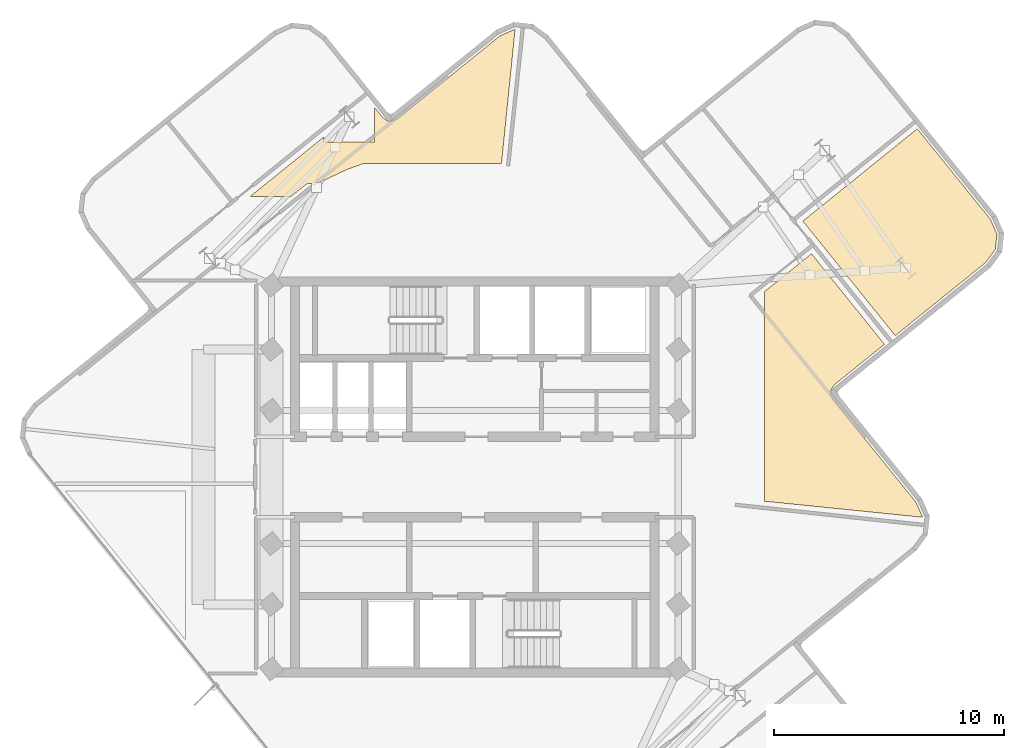
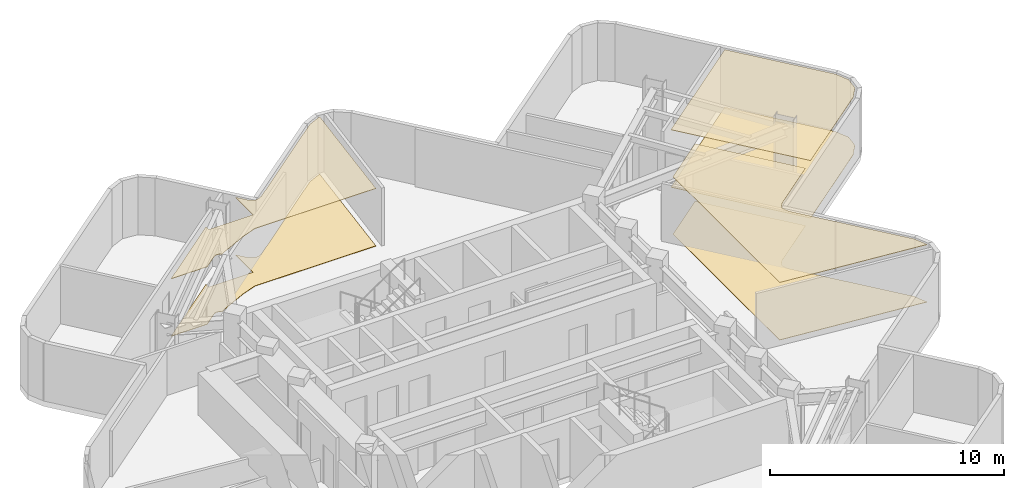
# One storey, part 9 of 9: 6 coverings.
"""IFC4 building model written with IfcOpenShell, lengths in metres."""

import ifcopenshell
import ifcopenshell.guid

model = None  # the IFC model being written
_history = None  # IfcOwnerHistory: only IFC2X3 demands one
_inside = {}  # id of a spatial element -> (the spatial element, [elements in it])
_under = {}  # id of a project, library or spatial element -> (it, [spatial elements below it])
_declared = {}  # id of a project -> (the project, [libraries it declares])
_typed = {}  # id of a type object -> (the type object, [elements of that type])
_made_of = {}  # id of a material, layer set ... -> (it, [elements and type objects made of it])


def new_model(schema):
    """Start an empty IFC model of exactly this schema.

    Asked for "IFC4X3", IfcOpenShell would pick the latest addendum, in which some entities
    have other attributes; the version numbers below select the first issue.
    IFC2X3 requires an IfcOwnerHistory on every rooted entity: one is made here for all.
    """
    global model, _history
    if schema == "IFC4X3":
        model = ifcopenshell.file(schema_version=(4, 3, 0, 0))
    else:
        model = ifcopenshell.file(schema=schema)
    _inside.clear()
    _under.clear()
    _declared.clear()
    _typed.clear()
    _made_of.clear()
    _history = None
    if model.schema == "IFC2X3":
        org = make("IfcOrganization", Name="unknown")
        user = make(
            "IfcPersonAndOrganization",
            ThePerson=make("IfcPerson", FamilyName="unknown"),
            TheOrganization=org,
        )
        app = make(
            "IfcApplication",
            ApplicationDeveloper=org,
            Version="unknown",
            ApplicationFullName="unknown",
            ApplicationIdentifier="unknown",
        )
        _history = make(
            "IfcOwnerHistory",
            OwningUser=user,
            OwningApplication=app,
            ChangeAction="ADDED",
            CreationDate=0,
        )
    return model


def make(cls, **values):
    """One entity of the class cls with the attributes given. An attribute that is None is left unset."""
    return model.create_entity(
        cls, **{name: value for name, value in values.items() if value is not None}
    )


def rooted(cls, **values):
    """An entity with a GlobalId (a new one), such as an element, a storey or a relation."""
    return make(cls, GlobalId=ifcopenshell.guid.new(), OwnerHistory=_history, **values)


def si_unit(unit_type, name, prefix=None):
    """IfcSIUnit, for example si_unit("LENGTHUNIT", "METRE", prefix="MILLI")."""
    return make("IfcSIUnit", UnitType=unit_type, Prefix=prefix, Name=name)


def assignment(units):
    """IfcUnitAssignment: the units of a project."""
    return None if units is None else make("IfcUnitAssignment", Units=units)


def point(xyz):
    """IfcCartesianPoint."""
    return None if xyz is None else make("IfcCartesianPoint", Coordinates=xyz)


def direction(xyz):
    """IfcDirection."""
    return None if xyz is None else make("IfcDirection", DirectionRatios=xyz)


def frame(location, z_axis=None, x_axis=None):
    """IfcAxis2Placement3D, a coordinate frame: its origin and axes. An axis left out is left unset."""
    return make(
        "IfcAxis2Placement3D",
        Location=point(location),
        Axis=direction(z_axis),
        RefDirection=direction(x_axis),
    )


def origin():
    """The frame at (0, 0, 0) with its axes left unset."""
    return frame((0.0, 0.0, 0.0))


def place(relative_to, where):
    """IfcLocalPlacement: puts the frame where relative to a parent placement (None: the world)."""
    return make(
        "IfcLocalPlacement", PlacementRelTo=relative_to, RelativePlacement=where
    )


def context(
    kind, dimensions, precision=None, world=None, true_north=None, identifier=None
):
    """IfcGeometricRepresentationContext, for example the 3D "Model" context."""
    return make(
        "IfcGeometricRepresentationContext",
        ContextIdentifier=identifier,
        ContextType=kind,
        CoordinateSpaceDimension=dimensions,
        Precision=precision,
        WorldCoordinateSystem=world,
        TrueNorth=true_north,
    )


def subcontext(parent, identifier, kind, view, scale=None):
    """IfcGeometricRepresentationSubContext, for example "Body" below "Model"."""
    return make(
        "IfcGeometricRepresentationSubContext",
        ContextIdentifier=identifier,
        ContextType=kind,
        ParentContext=parent,
        TargetScale=scale,
        TargetView=view,
    )


def project(units=None, contexts=None):
    """IfcProject with its units and contexts."""
    return rooted(
        "IfcProject",
        Name="project",
        RepresentationContexts=contexts,
        UnitsInContext=assignment(units),
    )


def spatial(cls, under=None, at=None, **own):
    """A site, building, storey or space (cls), placed at a placement, below another one or the project."""
    s = rooted(cls, ObjectPlacement=at, **own)
    if under is not None:
        _under.setdefault(under.id(), (under, []))[1].append(s)
    return s


def polyline(points):
    """IfcPolyline through the points."""
    return make("IfcPolyline", Points=[point(p) for p in points])


def outline(outer, holes=None, kind="AREA"):
    """IfcArbitraryClosedProfileDef: a profile drawn as a closed curve; with holes, ...WithVoids."""
    if holes is None:
        return make("IfcArbitraryClosedProfileDef", ProfileType=kind, OuterCurve=outer)
    return make(
        "IfcArbitraryProfileDefWithVoids",
        ProfileType=kind,
        OuterCurve=outer,
        InnerCurves=holes,
    )


def extrude(swept, where, along, depth):
    """IfcExtrudedAreaSolid: the profile swept, set in the frame where, extruded along a direction by depth."""
    return make(
        "IfcExtrudedAreaSolid",
        SweptArea=swept,
        Position=where,
        ExtrudedDirection=direction(along),
        Depth=depth,
    )


def shape(context_of_items, identifier, shape_type, items):
    """IfcShapeRepresentation: the items that make up one representation, for example the "Body"."""
    return make(
        "IfcShapeRepresentation",
        ContextOfItems=context_of_items,
        RepresentationIdentifier=identifier,
        RepresentationType=shape_type,
        Items=items,
    )


def material(Name=None, Category=None):
    """IfcMaterial."""
    return make("IfcMaterial", Name=Name, Category=Category)


def layer(
    of_material, thickness, ventilated=None, Name=None, Category=None, Priority=None
):
    """IfcMaterialLayer: one layer of a wall or slab, of a material (None: an air gap)."""
    return make(
        "IfcMaterialLayer",
        Material=of_material,
        LayerThickness=thickness,
        IsVentilated=ventilated,
        Name=Name,
        Category=Category,
        Priority=Priority,
    )


def layer_set(layers, Name=None):
    """IfcMaterialLayerSet."""
    return make("IfcMaterialLayerSet", MaterialLayers=layers, LayerSetName=Name)


def made_of(thing, what):
    """Note that an element or type object is made of a material, layer set ...; save() writes the relation."""
    if what is not None:
        _made_of.setdefault(what.id(), (what, []))[1].append(thing)
    return thing


def type_object(cls, material=None, **own):
    """A type object (cls), such as IfcWallType, which elements share."""
    return made_of(rooted(cls, **own), material)


def element(
    cls,
    number,
    at=None,
    inside=None,
    cuts=None,
    type_object=None,
    material=None,
    context=None,
    identifier="Body",
    shape_type=None,
    held_by="IfcProductDefinitionShape",
    body=None,
    shapes=None,
    **own,
):
    """One element of the class cls, such as IfcWall. Its Tag is "e" and its number.

    at: its placement. inside: the storey or other place that contains it. cuts: it is an
    opening in that element (IfcRelVoidsElement). A single representation is given by context,
    identifier, shape_type and body (its items); several are given by shapes. held_by: the class
    of the entity that holds the representations. save() writes the other relations.
    """
    e = rooted(cls, Tag="e%d" % number, ObjectPlacement=at, **own)
    if body is not None:
        shapes = [shape(context, identifier, shape_type, body)]
    if shapes is not None:
        e.Representation = make(held_by, Representations=shapes)
    if inside is not None:
        _inside.setdefault(inside.id(), (inside, []))[1].append(e)
    if cuts is not None:
        rooted(
            "IfcRelVoidsElement", RelatingBuildingElement=cuts, RelatedOpeningElement=e
        )
    if type_object is not None:
        _typed.setdefault(type_object.id(), (type_object, []))[1].append(e)
    return made_of(e, material)


def aggregate(whole, parts):
    """IfcRelAggregates: a whole, such as a stair, and the parts it consists of."""
    return rooted("IfcRelAggregates", RelatingObject=whole, RelatedObjects=parts)


def save(model, path):
    """Write the relations noted so far, then the file.

    IfcRelAggregates (storeys below a building ...), IfcRelContainedInSpatialStructure (elements
    in a storey), IfcRelDefinesByType, IfcRelAssociatesMaterial and IfcRelDeclares: one each for
    every whole, place, type object, material and project.
    """
    for whole, parts in _under.values():
        aggregate(whole, parts)
    for where, things in _inside.values():
        rooted(
            "IfcRelContainedInSpatialStructure",
            RelatedElements=things,
            RelatingStructure=where,
        )
    for kind, things in _typed.values():
        rooted("IfcRelDefinesByType", RelatedObjects=things, RelatingType=kind)
    for what, things in _made_of.values():
        rooted("IfcRelAssociatesMaterial", RelatedObjects=things, RelatingMaterial=what)
    for by, libraries in _declared.values():
        rooted("IfcRelDeclares", RelatingContext=by, RelatedDefinitions=libraries)
    model.write(path)


model = new_model("IFC4")

# Units and contexts
model_context = context("Model", 3, precision=1e-05, world=origin(), true_north=direction((0.0, 1.0)))
body_context = subcontext(model_context, "Body", "Model", "MODEL_VIEW")
ifc_project = project(units=[si_unit("LENGTHUNIT", "METRE"), si_unit("AREAUNIT", "SQUARE_METRE"), si_unit("VOLUMEUNIT", "CUBIC_METRE"), si_unit("PLANEANGLEUNIT", "RADIAN"), si_unit("MASSUNIT", "GRAM", prefix="KILO")], contexts=[model_context])

# Site, building, storey
site_placement = place(None, origin())
site = spatial("IfcSite", under=ifc_project, at=site_placement, CompositionType="ELEMENT")
building_placement = place(site_placement, origin())
building = spatial("IfcBuilding", under=site, at=building_placement, Name="Solmarez Civic Tower", CompositionType="ELEMENT")
storey_placement = place(building_placement, frame((0.0, 0.0, 235.97998046875)))
storey = spatial("IfcBuildingStorey", under=building, at=storey_placement, Name="L63", CompositionType="ELEMENT", Elevation=235.97998046875)

# Coverings
ifc_material_1 = material(Name="Perforated Mineral-Fibre Acoustic Ceiling")
ifc_layer_1 = layer(ifc_material_1, 0.02490234375)
ifc_layer_set_1 = layer_set([ifc_layer_1], Name="Perforated Mineral-Fibre Acoustic Ceiling")
covering_type_1 = type_object("IfcCoveringType", Name="COV-CEIL-ACOUSTIC", PredefinedType="CEILING", material=ifc_layer_set_1)
covering_1_placement = place(storey_placement, frame((0.0, 0.0, 2.9951171875)))
element("IfcCovering", 1, at=covering_1_placement, inside=storey, type_object=covering_type_1, Name="L63 Suspended Acoustic Ceiling 1", PredefinedType="CEILING", context=body_context, shape_type="SweptSolid", body=[
    extrude(outline(polyline([(-9.785888671875, 12.199951171875), (-8.001953125, 12.199951171875), (-7.362060546875, 12.716064453125), (-7.343017578125, 12.72998046875), (-7.322021484375, 12.741943359375), (-7.31396484375, 12.74609375), (-7.298095703125, 12.7529296875), (-7.29296875, 12.7548828125), (-7.27392578125, 12.761962890625), (-7.25390625, 12.76708984375), (-7.2490234375, 12.76806640625), (-7.243896484375, 12.76904296875), (-7.222900390625, 12.77197265625), (-7.200927734375, 12.77294921875), (-7.19189453125, 12.77294921875), (-7.169921875, 12.77197265625), (-7.14892578125, 12.76904296875), (-7.14404296875, 12.76806640625), (-7.138916015625, 12.76708984375), (-7.114990234375, 12.760986328125), (-7.093017578125, 12.751953125), (-7.083984375, 12.748046875), (-7.06201171875, 12.737060546875), (-7.041015625, 12.722900390625), (-7.032958984375, 12.717041015625), (-7.009033203125, 12.697021484375), (-7.001953125, 12.68994140625), (-6.9951171875, 12.680908203125), (-6.842041015625, 12.77294921875), (-6.826904296875, 12.781005859375), (-6.81396484375, 12.787109375), (-5.552978515625, 13.384033203125), (-5.532958984375, 13.39208984375), (-4.85107421875, 13.635986328125), (-4.844970703125, 13.637939453125), (-4.818115234375, 13.64501953125), (-4.81298828125, 13.64599609375), (-4.7919921875, 13.64892578125), (-4.77001953125, 13.64990234375), (1.162109375, 13.64990234375), (1.7529296875, 19.48291015625), (1.74609375, 19.48388671875), (1.09912109375, 19.197998046875), (-3.3369140625, 15.617919921875), (-3.35302734375, 15.60595703125), (-3.35888671875, 15.60205078125), (-3.364990234375, 15.597900390625), (-3.388916015625, 15.583984375), (-3.39501953125, 15.5810546875), (-3.404052734375, 15.576904296875), (-3.56298828125, 15.507080078125), (-3.570068359375, 15.50390625), (-3.596923828125, 15.493896484375), (-3.60400390625, 15.491943359375), (-3.611083984375, 15.490966796875), (-3.618896484375, 15.489013671875), (-3.64501953125, 15.48388671875), (-3.672119140625, 15.48193359375), (-3.68701171875, 15.48193359375), (-3.714111328125, 15.48388671875), (-3.72607421875, 15.485107421875), (-3.73291015625, 15.486083984375), (-3.761962890625, 15.491943359375), (-3.76904296875, 15.493896484375), (-3.785888671875, 15.5), (-3.7939453125, 15.5029296875), (-3.81689453125, 15.512939453125), (-3.839111328125, 15.52587890625), (-3.85888671875, 15.5390625), (-3.998046875, 15.639892578125), (-4.011962890625, 15.65087890625), (-4.02490234375, 15.662109375), (-4.030029296875, 15.6669921875), (-4.034912109375, 15.672119140625), (-4.0400390625, 15.677001953125), (-4.054931640625, 15.695068359375), (-4.367919921875, 16.08203125), (-4.367919921875, 14.571044921875), (-6.568115234375, 14.571044921875), (-6.568115234375, 14.7958984375), (-9.785888671875, 12.199951171875)])), origin(), (0.0, 0.0, 1.0), 0.02490234375),
])
covering_2_placement = place(storey_placement, frame((0.0, 0.0, 2.9951171875)))
element("IfcCovering", 2, at=covering_2_placement, inside=storey, type_object=covering_type_1, Name="L63 Suspended Acoustic Ceiling 3", PredefinedType="CEILING", context=body_context, shape_type="SweptSolid", body=[
    extrude(outline(polyline([(12.60009765625, 8.06005859375), (12.60009765625, -1.055908203125), (19.48291015625, -1.7529296875), (19.48388671875, -1.74609375), (19.197998046875, -1.09912109375), (15.617919921875, 3.3369140625), (15.60595703125, 3.35302734375), (15.60205078125, 3.35888671875), (15.597900390625, 3.364990234375), (15.583984375, 3.388916015625), (15.5810546875, 3.39501953125), (15.576904296875, 3.404052734375), (15.507080078125, 3.56298828125), (15.50390625, 3.570068359375), (15.493896484375, 3.596923828125), (15.491943359375, 3.60400390625), (15.490966796875, 3.611083984375), (15.489013671875, 3.618896484375), (15.48388671875, 3.64501953125), (15.48193359375, 3.672119140625), (15.48193359375, 3.68701171875), (15.48388671875, 3.714111328125), (15.485107421875, 3.72607421875), (15.486083984375, 3.73291015625), (15.491943359375, 3.761962890625), (15.493896484375, 3.76904296875), (15.5, 3.785888671875), (15.5029296875, 3.7939453125), (15.512939453125, 3.81689453125), (15.52587890625, 3.839111328125), (15.5390625, 3.85888671875), (15.639892578125, 3.998046875), (15.65087890625, 4.011962890625), (15.662109375, 4.02490234375), (15.6669921875, 4.030029296875), (15.672119140625, 4.034912109375), (15.677001953125, 4.0400390625), (15.695068359375, 4.054931640625), (17.826904296875, 5.77490234375), (14.64892578125, 9.712890625), (12.60009765625, 8.06005859375)])), origin(), (0.0, 0.0, 1.0), 0.02490234375),
])
covering_3_placement = place(storey_placement, frame((0.0, 0.0, 2.9951171875)))
element("IfcCovering", 3, at=covering_3_placement, inside=storey, type_object=covering_type_1, Name="L63 Suspended Acoustic Ceiling 4", PredefinedType="CEILING", context=body_context, shape_type="SweptSolid", body=[
    extrude(outline(polyline([(18.29296875, 6.152099609375), (22.23193359375, 9.330078125), (22.64892578125, 9.902099609375), (22.719970703125, 10.56591796875), (22.43408203125, 11.212890625), (19.2548828125, 15.152099609375), (14.27392578125, 11.133056640625), (18.29296875, 6.152099609375)])), origin(), (0.0, 0.0, 1.0), 0.02490234375),
])
ifc_material_2 = material(Name="Polished Tropical Stone Terrazzo Flooring", Category="masonry")
ifc_layer_2 = layer(ifc_material_2, 0.02001953125)
ifc_layer_set_2 = layer_set([ifc_layer_2], Name="Polished Tropical Stone Terrazzo Flooring")
covering_type_2 = type_object("IfcCoveringType", Name="COV-FLOOR-TERRAZZO", PredefinedType="FLOORING", material=ifc_layer_set_2)
covering_4_placement = place(storey_placement, origin())
element("IfcCovering", 4, at=covering_4_placement, inside=storey, type_object=covering_type_2, Name="L63 Terrazzo Floor Finish 1", PredefinedType="FLOORING", context=body_context, shape_type="SweptSolid", body=[
    extrude(outline(polyline([(-9.785888671875, 12.199951171875), (-8.001953125, 12.199951171875), (-7.362060546875, 12.716064453125), (-7.343017578125, 12.72998046875), (-7.322021484375, 12.741943359375), (-7.31396484375, 12.74609375), (-7.298095703125, 12.7529296875), (-7.29296875, 12.7548828125), (-7.27392578125, 12.761962890625), (-7.25390625, 12.76708984375), (-7.2490234375, 12.76806640625), (-7.243896484375, 12.76904296875), (-7.222900390625, 12.77197265625), (-7.200927734375, 12.77294921875), (-7.19189453125, 12.77294921875), (-7.169921875, 12.77197265625), (-7.14892578125, 12.76904296875), (-7.14404296875, 12.76806640625), (-7.138916015625, 12.76708984375), (-7.114990234375, 12.760986328125), (-7.093017578125, 12.751953125), (-7.083984375, 12.748046875), (-7.06201171875, 12.737060546875), (-7.041015625, 12.722900390625), (-7.032958984375, 12.717041015625), (-7.009033203125, 12.697021484375), (-7.001953125, 12.68994140625), (-6.9951171875, 12.680908203125), (-6.842041015625, 12.77294921875), (-6.826904296875, 12.781005859375), (-6.81396484375, 12.787109375), (-5.552978515625, 13.384033203125), (-5.532958984375, 13.39208984375), (-4.85107421875, 13.635986328125), (-4.844970703125, 13.637939453125), (-4.818115234375, 13.64501953125), (-4.81298828125, 13.64599609375), (-4.7919921875, 13.64892578125), (-4.77001953125, 13.64990234375), (1.162109375, 13.64990234375), (1.7529296875, 19.48291015625), (1.74609375, 19.48388671875), (1.09912109375, 19.197998046875), (-3.3369140625, 15.617919921875), (-3.35302734375, 15.60595703125), (-3.35888671875, 15.60205078125), (-3.364990234375, 15.597900390625), (-3.388916015625, 15.583984375), (-3.39501953125, 15.5810546875), (-3.404052734375, 15.576904296875), (-3.56298828125, 15.507080078125), (-3.570068359375, 15.50390625), (-3.596923828125, 15.493896484375), (-3.60400390625, 15.491943359375), (-3.611083984375, 15.490966796875), (-3.618896484375, 15.489013671875), (-3.64501953125, 15.48388671875), (-3.672119140625, 15.48193359375), (-3.68701171875, 15.48193359375), (-3.714111328125, 15.48388671875), (-3.72607421875, 15.485107421875), (-3.73291015625, 15.486083984375), (-3.761962890625, 15.491943359375), (-3.76904296875, 15.493896484375), (-3.785888671875, 15.5), (-3.7939453125, 15.5029296875), (-3.81689453125, 15.512939453125), (-3.839111328125, 15.52587890625), (-3.85888671875, 15.5390625), (-3.998046875, 15.639892578125), (-4.011962890625, 15.65087890625), (-4.02490234375, 15.662109375), (-4.030029296875, 15.6669921875), (-4.034912109375, 15.672119140625), (-4.0400390625, 15.677001953125), (-4.054931640625, 15.695068359375), (-4.367919921875, 16.08203125), (-4.367919921875, 14.571044921875), (-6.568115234375, 14.571044921875), (-6.568115234375, 14.7958984375), (-9.785888671875, 12.199951171875)])), origin(), (0.0, 0.0, 1.0), 0.02001953125),
])
covering_5_placement = place(storey_placement, origin())
element("IfcCovering", 5, at=covering_5_placement, inside=storey, type_object=covering_type_2, Name="L63 Terrazzo Floor Finish 3", PredefinedType="FLOORING", context=body_context, shape_type="SweptSolid", body=[
    extrude(outline(polyline([(12.60009765625, 8.06005859375), (12.60009765625, -1.055908203125), (19.48291015625, -1.7529296875), (19.48388671875, -1.74609375), (19.197998046875, -1.09912109375), (15.617919921875, 3.3369140625), (15.60595703125, 3.35302734375), (15.60205078125, 3.35888671875), (15.597900390625, 3.364990234375), (15.583984375, 3.388916015625), (15.5810546875, 3.39501953125), (15.576904296875, 3.404052734375), (15.507080078125, 3.56298828125), (15.50390625, 3.570068359375), (15.493896484375, 3.596923828125), (15.491943359375, 3.60400390625), (15.490966796875, 3.611083984375), (15.489013671875, 3.618896484375), (15.48388671875, 3.64501953125), (15.48193359375, 3.672119140625), (15.48193359375, 3.68701171875), (15.48388671875, 3.714111328125), (15.485107421875, 3.72607421875), (15.486083984375, 3.73291015625), (15.491943359375, 3.761962890625), (15.493896484375, 3.76904296875), (15.5, 3.785888671875), (15.5029296875, 3.7939453125), (15.512939453125, 3.81689453125), (15.52587890625, 3.839111328125), (15.5390625, 3.85888671875), (15.639892578125, 3.998046875), (15.65087890625, 4.011962890625), (15.662109375, 4.02490234375), (15.6669921875, 4.030029296875), (15.672119140625, 4.034912109375), (15.677001953125, 4.0400390625), (15.695068359375, 4.054931640625), (17.826904296875, 5.77490234375), (14.64892578125, 9.712890625), (12.60009765625, 8.06005859375)])), origin(), (0.0, 0.0, 1.0), 0.02001953125),
])
covering_6_placement = place(storey_placement, origin())
element("IfcCovering", 6, at=covering_6_placement, inside=storey, type_object=covering_type_2, Name="L63 Terrazzo Floor Finish 4", PredefinedType="FLOORING", context=body_context, shape_type="SweptSolid", body=[
    extrude(outline(polyline([(18.29296875, 6.152099609375), (22.23193359375, 9.330078125), (22.64892578125, 9.902099609375), (22.719970703125, 10.56591796875), (22.43408203125, 11.212890625), (19.2548828125, 15.152099609375), (14.27392578125, 11.133056640625), (18.29296875, 6.152099609375)])), origin(), (0.0, 0.0, 1.0), 0.02001953125),
])

save(model, "model.ifc")
